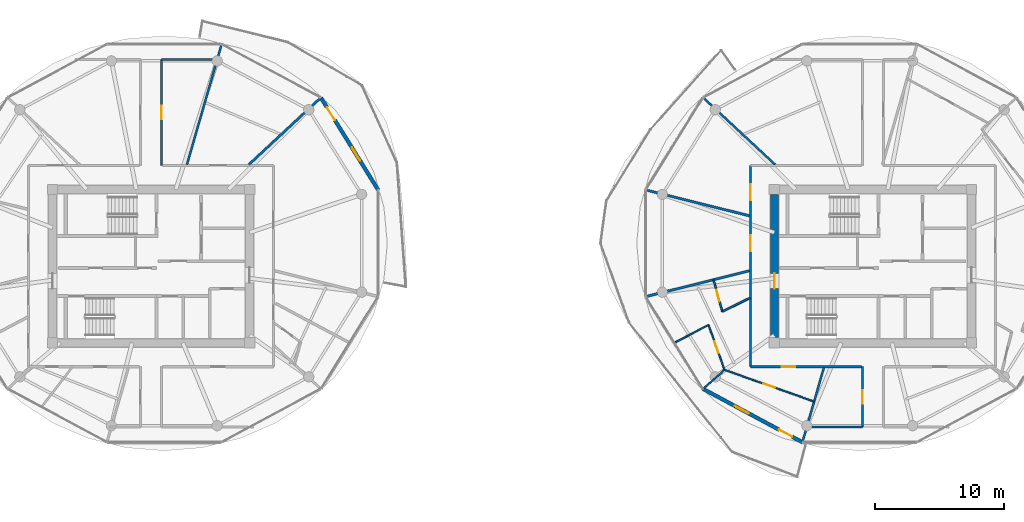
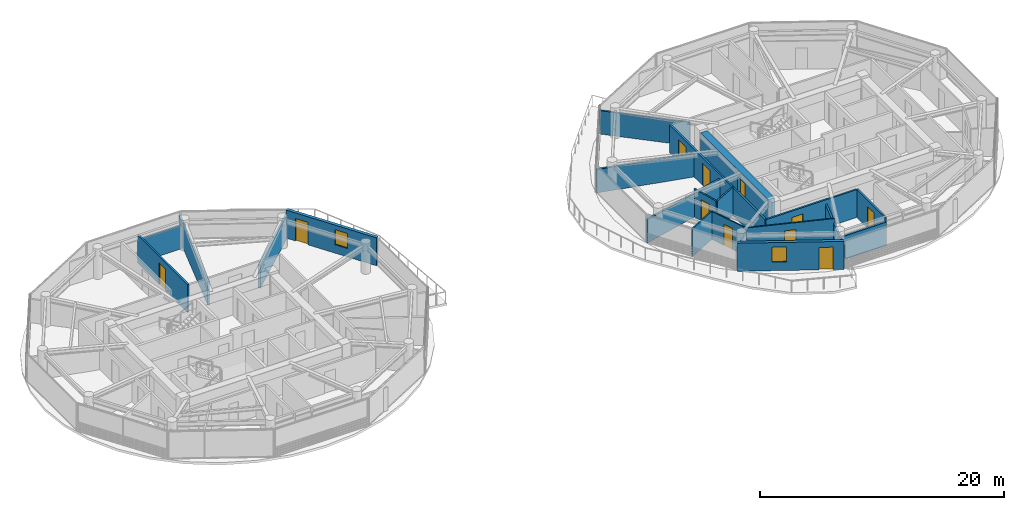
# One storey, part 15 of 22: 21 walls, 11 doors, 2 windows, 13 openings.
"""IFC4 building model written with IfcOpenShell, lengths in metres."""

from ifc_helpers import new_model, si_unit, direction, frame, frame_2d, origin, place, context, subcontext, project, spatial, rectangle, extrude, source, transform, mapped, material, layer, layer_set, type_object, type_shapes, element, fill, save


model = new_model("IFC4")

# Units and contexts
model_context = context("Model", 3, precision=1e-05, world=origin(), true_north=direction((0.0, 1.0)))
body_context = subcontext(model_context, "Body", "Model", "MODEL_VIEW")
ifc_project = project(units=[si_unit("LENGTHUNIT", "METRE"), si_unit("AREAUNIT", "SQUARE_METRE"), si_unit("VOLUMEUNIT", "CUBIC_METRE"), si_unit("PLANEANGLEUNIT", "RADIAN"), si_unit("MASSUNIT", "GRAM", prefix="KILO")], contexts=[model_context])

# Site, building, storey
site_placement = place(None, origin())
site = spatial("IfcSite", under=ifc_project, at=site_placement, CompositionType="ELEMENT")
building_placement = place(site_placement, origin())
building = spatial("IfcBuilding", under=site, at=building_placement, Name="Norrkilde Senior Care Towers", CompositionType="ELEMENT")
storey_placement = place(building_placement, frame((0.0, 0.0, 137.35009765625)))
storey = spatial("IfcBuildingStorey", under=building, at=storey_placement, Name="L42", CompositionType="ELEMENT", Elevation=137.35009765625)

# Wall, opening, door
ifc_material_1 = material(Name="Concrete C50/60", Category="concrete")
ifc_layer_1 = layer(ifc_material_1, 0.6201171875)
ifc_layer_set_1 = layer_set([ifc_layer_1], Name="Concrete C50/60")
wall_type_1 = type_object("IfcWallType", Name="Core Shear Wall Z3 620", PredefinedType="SHEAR", material=ifc_layer_set_1)
shared_shape_1 = source(origin(), body_context, "Body", "SweptSolid", [
    extrude(rectangle(XDim=11.10009765625, YDim=0.6201171875, at=frame_2d((5.550048828125, 0.0))), origin(), (0.0, 0.0, 1.0), 2.809814453125),
])
type_shapes(wall_type_1, [shared_shape_1])
wall_1_placement = place(storey_placement, frame((20.35009765625, -5.550048828125, 0.0), z_axis=(0.0, 0.0, 1.0), x_axis=(0.0, 1.0, 0.0)))
wall_1 = element("IfcWall", 1, at=wall_1_placement, inside=storey, type_object=wall_type_1, Name="L42 Core E West Shear Wall", PredefinedType="SHEAR", context=body_context, shape_type="MappedRepresentation", body=[
    mapped(shared_shape_1, transform((0.0, 0.0, 0.0), x_axis=(1.0, 0.0, 0.0), y_axis=(0.0, 1.0, 0.0), z_axis=(0.0, 0.0, 1.0), scale=1.0)),
])
opening_1_placement = place(wall_1_placement, frame((3.800048828125, 0.0, 0.0)))
opening_1 = element("IfcOpeningElement", 2, at=opening_1_placement, cuts=wall_1, Name="Opening D-04", PredefinedType="OPENING", context=body_context, shape_type="SweptSolid", body=[
    extrude(rectangle(XDim=1.199951171875, YDim=2.14990234375, at=frame_2d((0.60009765625, 1.074951171875))), frame((0.0, 0.320068359375, 0.0), z_axis=(0.0, -1.0, 0.0), x_axis=(1.0, 0.0, 0.0)), (0.0, 0.0, 1.0), 0.64013671875),
])
ifc_material_2 = material(Name="Galvanised Painted Steel", Category="steel")
door_type_1 = type_object("IfcDoorType", Name="Firefighting Lobby Fire Door 1200x2150", OperationType="NOTDEFINED", PredefinedType="DOOR", material=ifc_material_2)
shared_shape_2 = source(origin(), body_context, "Body", "SweptSolid", [
    extrude(rectangle(XDim=1.199951171875, YDim=2.14990234375, at=frame_2d((0.60009765625, 1.074951171875))), frame((0.0, 0.02490234375, 0.0), z_axis=(0.0, -1.0, 0.0), x_axis=(1.0, 0.0, 0.0)), (0.0, 0.0, 1.0), 0.050048828125),
])
type_shapes(door_type_1, [shared_shape_2])
door_1_placement = place(opening_1_placement, frame((1.199951171875, 0.0, 0.0), z_axis=(0.0, 0.0, 1.0), x_axis=(-1.0, 0.0, 0.0)))
door_1 = element("IfcDoor", 3, at=door_1_placement, inside=storey, type_object=door_type_1, Name="L42 Core E West Portal Door", OperationType="SINGLE_SWING_LEFT", OverallHeight=2.14990234375, OverallWidth=1.199951171875, PredefinedType="DOOR", context=body_context, shape_type="MappedRepresentation", body=[
    mapped(shared_shape_2, transform((0.0, 0.0, 0.0), x_axis=(1.0, 0.0, 0.0), y_axis=(0.0, 1.0, 0.0), z_axis=(0.0, 0.0, 1.0), scale=1.0)),
])
fill(opening_1, door_1)

# Wall, openings, door, window
ifc_material_3 = material(Name="Precast concrete C45/55", Category="concrete")
ifc_layer_2 = layer(ifc_material_3, 0.2900390625)
ifc_layer_set_2 = layer_set([ifc_layer_2], Name="Precast concrete C45/55")
wall_type_2 = type_object("IfcWallType", Name="Winter Garden Facade Wall 290", PredefinedType="SOLIDWALL", material=ifc_layer_set_2)
shared_shape_3 = source(origin(), body_context, "Body", "SweptSolid", [
    extrude(rectangle(XDim=8.431396484375, YDim=0.2900390625, at=frame_2d((4.2158203125, 0.0))), origin(), (0.0, 0.0, 1.0), 2.809814453125),
])
wall_2_placement = place(storey_placement, frame((-14.826904296875, 13.074951171875, 0.0), z_axis=(0.0, 0.0, 1.0), x_axis=(0.527377998418, -0.849630770855, 0.0)))
wall_2 = element("IfcWall", 4, at=wall_2_placement, inside=storey, type_object=wall_type_2, Name="L42 Drum W Balcony Access Wall 00", PredefinedType="SOLIDWALL", context=body_context, shape_type="MappedRepresentation", body=[
    mapped(shared_shape_3, transform((0.0, 0.0, 0.0), x_axis=(1.0, 0.0, 0.0), y_axis=(0.0, 1.0, 0.0), z_axis=(0.0, 0.0, 1.0), scale=1.0)),
])
opening_2_placement = place(wall_2_placement, frame((0.89990234375, 0.0, 0.0)))
opening_2 = element("IfcOpeningElement", 5, at=opening_2_placement, cuts=wall_2, Name="Opening D-09", PredefinedType="OPENING", context=body_context, shape_type="SweptSolid", body=[
    extrude(rectangle(XDim=1.14990234375, YDim=2.25, at=frame_2d((0.574951171875, 1.125))), frame((0.0, 0.155029296875, 0.0), z_axis=(0.0, -1.0, 0.0), x_axis=(1.0, 0.0, 0.0)), (0.0, 0.0, 1.0), 0.31005859375),
])
opening_3_placement = place(wall_2_placement, frame((4.565673828125, 0.0, 0.85009765625)))
opening_3 = element("IfcOpeningElement", 6, at=opening_3_placement, cuts=wall_2, Name="Opening WN-07", PredefinedType="OPENING", context=body_context, shape_type="SweptSolid", body=[
    extrude(rectangle(XDim=1.199951171875, YDim=1.5, at=frame_2d((0.60009765625, 0.75))), frame((0.0, 0.155029296875, 0.0), z_axis=(0.0, -1.0, 0.0), x_axis=(1.0, 0.0, 0.0)), (0.0, 0.0, 1.0), 0.31005859375),
])
ifc_material_4 = material(Name="Anodised Aluminium", Category="aluminium")
door_type_2 = type_object("IfcDoorType", Name="Terrace and Balcony Glazed Door 1150x2250", OperationType="NOTDEFINED", PredefinedType="DOOR", material=ifc_material_4)
shared_shape_4 = source(origin(), body_context, "Body", "SweptSolid", [
    extrude(rectangle(XDim=1.14990234375, YDim=2.25, at=frame_2d((0.574951171875, 1.125))), frame((0.0, 0.02490234375, 0.0), z_axis=(0.0, -1.0, 0.0), x_axis=(1.0, 0.0, 0.0)), (0.0, 0.0, 1.0), 0.050048828125),
])
type_shapes(door_type_2, [shared_shape_4])
door_2_placement = place(opening_2_placement, origin())
door_2 = element("IfcDoor", 7, at=door_2_placement, inside=storey, type_object=door_type_2, Name="L42 Drum W Outdoor Terrace Door 00", OperationType="SINGLE_SWING_LEFT", OverallHeight=2.25, OverallWidth=1.14990234375, PredefinedType="DOOR", context=body_context, shape_type="MappedRepresentation", body=[
    mapped(shared_shape_4, transform((0.0, 0.0, 0.0), x_axis=(1.0, 0.0, 0.0), y_axis=(0.0, 1.0, 0.0), z_axis=(0.0, 0.0, 1.0), scale=1.0)),
])
fill(opening_2, door_2)
ifc_material_5 = material(Name="Triple Low-E Insulated Glazing", Category="glass")
window_type = type_object("IfcWindowType", Name="Stairwell Smoke Vent Window 1200x1500", PartitioningType="SINGLE_PANEL", PredefinedType="WINDOW", material=ifc_material_5)
shared_shape_5 = source(origin(), body_context, "Body", "SweptSolid", [
    extrude(rectangle(XDim=1.199951171875, YDim=1.5, at=frame_2d((0.60009765625, 0.75))), frame((0.0, 0.030029296875, 0.0), z_axis=(0.0, -1.0, 0.0), x_axis=(1.0, 0.0, 0.0)), (0.0, 0.0, 1.0), 0.06005859375),
])
type_shapes(window_type, [shared_shape_5])
window_1_placement = place(opening_3_placement, origin())
window_1 = element("IfcWindow", 8, at=window_1_placement, inside=storey, type_object=window_type, Name="L42 Drum W Winter Garden Window 00", OverallHeight=1.5, OverallWidth=1.199951171875, PartitioningType="SINGLE_PANEL", PredefinedType="WINDOW", context=body_context, shape_type="MappedRepresentation", body=[
    mapped(shared_shape_5, transform((0.0, 0.0, 0.0), x_axis=(1.0, 0.0, 0.0), y_axis=(0.0, 1.0, 0.0), z_axis=(0.0, 0.0, 1.0), scale=1.0)),
])
fill(opening_3, window_1)

shared_shape_6 = source(origin(), body_context, "Body", "SweptSolid", [
    extrude(rectangle(XDim=8.741943359375, YDim=0.2900390625, at=frame_2d((4.37109375, 0.0))), origin(), (0.0, 0.0, 1.0), 2.809814453125),
])
type_shapes(wall_type_2, [shared_shape_3, shared_shape_6])
wall_3_placement = place(storey_placement, frame((22.528564453125, -13.66015625, 0.0), z_axis=(0.0, 0.0, 1.0), x_axis=(-0.880998740657, 0.473118609823, 0.0)))
wall_3 = element("IfcWall", 9, at=wall_3_placement, inside=storey, type_object=wall_type_2, Name="L42 Drum E Balcony Access Wall 07", PredefinedType="SOLIDWALL", context=body_context, shape_type="MappedRepresentation", body=[
    mapped(shared_shape_6, transform((0.0, 0.0, 0.0), x_axis=(1.0, 0.0, 0.0), y_axis=(0.0, 1.0, 0.0), z_axis=(0.0, 0.0, 1.0), scale=1.0)),
])
opening_4_placement = place(wall_3_placement, frame((0.89990234375, 0.0, 0.0)))
opening_4 = element("IfcOpeningElement", 10, at=opening_4_placement, cuts=wall_3, Name="Opening D-09", PredefinedType="OPENING", context=body_context, shape_type="SweptSolid", body=[
    extrude(rectangle(XDim=1.14990234375, YDim=2.25, at=frame_2d((0.574951171875, 1.125))), frame((0.0, 0.155029296875, 0.0), z_axis=(0.0, -1.0, 0.0), x_axis=(1.0, 0.0, 0.0)), (0.0, 0.0, 1.0), 0.31005859375),
])
opening_5_placement = place(wall_3_placement, frame((4.720947265625, 0.0, 0.85009765625)))
opening_5 = element("IfcOpeningElement", 11, at=opening_5_placement, cuts=wall_3, Name="Opening WN-07", PredefinedType="OPENING", context=body_context, shape_type="SweptSolid", body=[
    extrude(rectangle(XDim=1.199951171875, YDim=1.5, at=frame_2d((0.60009765625, 0.75))), frame((0.0, 0.155029296875, 0.0), z_axis=(0.0, -1.0, 0.0), x_axis=(1.0, 0.0, 0.0)), (0.0, 0.0, 1.0), 0.31005859375),
])
door_3_placement = place(opening_4_placement, origin())
door_3 = element("IfcDoor", 12, at=door_3_placement, inside=storey, type_object=door_type_2, Name="L42 Drum E Outdoor Terrace Door 07", OperationType="SINGLE_SWING_RIGHT", OverallHeight=2.25, OverallWidth=1.14990234375, PredefinedType="DOOR", context=body_context, shape_type="MappedRepresentation", body=[
    mapped(shared_shape_4, transform((0.0, 0.0, 0.0), x_axis=(1.0, 0.0, 0.0), y_axis=(0.0, 1.0, 0.0), z_axis=(0.0, 0.0, 1.0), scale=1.0)),
])
fill(opening_4, door_3)
window_2_placement = place(opening_5_placement, origin())
window_2 = element("IfcWindow", 13, at=window_2_placement, inside=storey, type_object=window_type, Name="L42 Drum E Winter Garden Window 07", OverallHeight=1.5, OverallWidth=1.199951171875, PartitioningType="SINGLE_PANEL", PredefinedType="WINDOW", context=body_context, shape_type="MappedRepresentation", body=[
    mapped(shared_shape_5, transform((0.0, 0.0, 0.0), x_axis=(1.0, 0.0, 0.0), y_axis=(0.0, 1.0, 0.0), z_axis=(0.0, 0.0, 1.0), scale=1.0)),
])
fill(opening_5, window_2)

# Wall, opening, door
ifc_material_6 = material(Name="Gypsum Acoustic Board")
ifc_layer_3 = layer(ifc_material_6, 0.1650390625)
ifc_layer_set_3 = layer_set([ifc_layer_3], Name="Gypsum Acoustic Board")
wall_type_3 = type_object("IfcWallType", Name="Corridor Rated Partition 165", PredefinedType="PARTITIONING", material=ifc_layer_set_3)
shared_shape_7 = source(origin(), body_context, "Body", "SweptSolid", [
    extrude(rectangle(XDim=8.60009765625, YDim=0.1650390625, at=frame_2d((4.300048828125, 0.0))), origin(), (0.0, 0.0, 1.0), 2.794921875),
])
wall_4_placement = place(storey_placement, frame((27.10009765625, -7.800048828125, 0.0), z_axis=(0.0, 0.0, 1.0), x_axis=(-1.0, 0.0, 0.0)))
wall_4 = element("IfcWall", 14, at=wall_4_placement, inside=storey, type_object=wall_type_3, Name="WL-INT-L42-E-CRW-S-1", PredefinedType="PARTITIONING", context=body_context, shape_type="MappedRepresentation", body=[
    mapped(shared_shape_7, transform((0.0, 0.0, 0.0), x_axis=(1.0, 0.0, 0.0), y_axis=(0.0, 1.0, 0.0), z_axis=(0.0, 0.0, 1.0), scale=1.0)),
])
opening_6_placement = place(wall_4_placement, frame((5.11474609375, 0.0, 0.0)))
opening_6 = element("IfcOpeningElement", 15, at=opening_6_placement, cuts=wall_4, Name="Opening D-06", PredefinedType="OPENING", context=body_context, shape_type="SweptSolid", body=[
    extrude(rectangle(XDim=1.050048828125, YDim=2.14990234375, at=frame_2d((0.52490234375, 1.074951171875))), frame((0.0, 0.092529296875, 0.0), z_axis=(0.0, -1.0, 0.0), x_axis=(1.0, 0.0, 0.0)), (0.0, 0.0, 1.0), 0.18505859375),
])
ifc_material_7 = material(Name="Nordic Ash Timber", Category="wood")
door_type_3 = type_object("IfcDoorType", Name="Apartment Entrance Fire Door 1050x2150", OperationType="NOTDEFINED", PredefinedType="DOOR", material=ifc_material_7)
shared_shape_8 = source(origin(), body_context, "Body", "SweptSolid", [
    extrude(rectangle(XDim=1.050048828125, YDim=2.14990234375, at=frame_2d((0.52490234375, 1.074951171875))), frame((0.0, 0.02490234375, 0.0), z_axis=(0.0, -1.0, 0.0), x_axis=(1.0, 0.0, 0.0)), (0.0, 0.0, 1.0), 0.050048828125),
])
type_shapes(door_type_3, [shared_shape_8])
door_4_placement = place(opening_6_placement, frame((1.050048828125, 0.0, 0.0), z_axis=(0.0, 0.0, 1.0), x_axis=(-1.0, 0.0, 0.0)))
door_4 = element("IfcDoor", 16, at=door_4_placement, inside=storey, type_object=door_type_3, Name="Apartment 42C Entrance Door", OperationType="SINGLE_SWING_LEFT", OverallHeight=2.14990234375, OverallWidth=1.050048828125, PredefinedType="DOOR", context=body_context, shape_type="MappedRepresentation", body=[
    mapped(shared_shape_8, transform((0.0, 0.0, 0.0), x_axis=(1.0, 0.0, 0.0), y_axis=(0.0, 1.0, 0.0), z_axis=(0.0, 0.0, 1.0), scale=1.0)),
])
fill(opening_6, door_4)

# Wall, openings, doors
shared_shape_9 = source(origin(), body_context, "Body", "SweptSolid", [
    extrude(rectangle(XDim=15.60009765625, YDim=0.1650390625, at=frame_2d((7.800048828125, 0.0))), origin(), (0.0, 0.0, 1.0), 2.794921875),
])
wall_5_placement = place(storey_placement, frame((18.5, -7.800048828125, 0.0), z_axis=(0.0, 0.0, 1.0), x_axis=(0.0, 1.0, 0.0)))
wall_5 = element("IfcWall", 17, at=wall_5_placement, inside=storey, type_object=wall_type_3, Name="WL-INT-L42-E-CRW-W-0", PredefinedType="PARTITIONING", context=body_context, shape_type="MappedRepresentation", body=[
    mapped(shared_shape_9, transform((0.0, 0.0, 0.0), x_axis=(1.0, 0.0, 0.0), y_axis=(0.0, 1.0, 0.0), z_axis=(0.0, 0.0, 1.0), scale=1.0)),
])
opening_7_placement = place(wall_5_placement, frame((12.903076171875, 0.0, 0.0)))
opening_7 = element("IfcOpeningElement", 18, at=opening_7_placement, cuts=wall_5, Name="Opening D-05", PredefinedType="OPENING", context=body_context, shape_type="SweptSolid", body=[
    extrude(rectangle(XDim=1.25, YDim=2.199951171875, at=frame_2d((0.625, 1.10009765625))), frame((0.0, 0.092529296875, 0.0), z_axis=(0.0, -1.0, 0.0), x_axis=(1.0, 0.0, 0.0)), (0.0, 0.0, 1.0), 0.18505859375),
])
opening_8_placement = place(wall_5_placement, frame((8.950439453125, 0.0, 0.0)))
opening_8 = element("IfcOpeningElement", 19, at=opening_8_placement, cuts=wall_5, Name="Opening D-05", PredefinedType="OPENING", context=body_context, shape_type="SweptSolid", body=[
    extrude(rectangle(XDim=1.25, YDim=2.199951171875, at=frame_2d((0.625, 1.10009765625))), frame((0.0, 0.092529296875, 0.0), z_axis=(0.0, -1.0, 0.0), x_axis=(1.0, 0.0, 0.0)), (0.0, 0.0, 1.0), 0.18505859375),
])
door_type_4 = type_object("IfcDoorType", Name="Care Bedroom Bariatric Door 1250x2200", OperationType="NOTDEFINED", PredefinedType="DOOR", material=ifc_material_7)
shared_shape_10 = source(origin(), body_context, "Body", "SweptSolid", [
    extrude(rectangle(XDim=1.25, YDim=2.199951171875, at=frame_2d((0.625, 1.10009765625))), frame((0.0, 0.02490234375, 0.0), z_axis=(0.0, -1.0, 0.0), x_axis=(1.0, 0.0, 0.0)), (0.0, 0.0, 1.0), 0.050048828125),
])
type_shapes(door_type_4, [shared_shape_10])
door_5_placement = place(opening_7_placement, frame((1.25, 0.0, 0.0), z_axis=(0.0, 0.0, 1.0), x_axis=(-1.0, 0.0, 0.0)))
door_5 = element("IfcDoor", 20, at=door_5_placement, inside=storey, type_object=door_type_4, Name="L42 Sky-Garden Observatory Dining Salon L42 Door", OperationType="SINGLE_SWING_LEFT", OverallHeight=2.199951171875, OverallWidth=1.25, PredefinedType="DOOR", context=body_context, shape_type="MappedRepresentation", body=[
    mapped(shared_shape_10, transform((0.0, 0.0, 0.0), x_axis=(1.0, 0.0, 0.0), y_axis=(0.0, 1.0, 0.0), z_axis=(0.0, 0.0, 1.0), scale=1.0)),
])
fill(opening_7, door_5)
door_6_placement = place(opening_8_placement, frame((1.25, 0.0, 0.0), z_axis=(0.0, 0.0, 1.0), x_axis=(-1.0, 0.0, 0.0)))
door_6 = element("IfcDoor", 21, at=door_6_placement, inside=storey, type_object=door_type_4, Name="L42 Senior Wellness Library Lounge Door", OperationType="SINGLE_SWING_RIGHT", OverallHeight=2.199951171875, OverallWidth=1.25, PredefinedType="DOOR", context=body_context, shape_type="MappedRepresentation", body=[
    mapped(shared_shape_10, transform((0.0, 0.0, 0.0), x_axis=(1.0, 0.0, 0.0), y_axis=(0.0, 1.0, 0.0), z_axis=(0.0, 0.0, 1.0), scale=1.0)),
])
fill(opening_8, door_6)

# Walls
shared_shape_11 = source(origin(), body_context, "Body", "SweptSolid", [
    extrude(rectangle(XDim=9.73046875, YDim=0.1650390625, at=frame_2d((4.865234375, 0.0))), origin(), (0.0, 0.0, 1.0), 2.344970703125),
])
wall_6_placement = place(storey_placement, frame((-25.216552734375, 7.8798828125, 0.0), z_axis=(0.0, 0.0, 1.0), x_axis=(0.27679492614, 0.960929013436, 0.0)))
element("IfcWall", 22, at=wall_6_placement, inside=storey, type_object=wall_type_3, Name="WL-INT-L42-W-DEM-02-0", PredefinedType="PARTITIONING", context=body_context, shape_type="MappedRepresentation", body=[
    mapped(shared_shape_11, transform((0.0, 0.0, 0.0), x_axis=(1.0, 0.0, 0.0), y_axis=(0.0, 1.0, 0.0), z_axis=(0.0, 0.0, 1.0), scale=1.0)),
])
shared_shape_12 = source(origin(), body_context, "Body", "SweptSolid", [
    extrude(rectangle(XDim=6.035400390625, YDim=0.1650390625, at=frame_2d((3.017578125, 0.0))), origin(), (0.0, 0.0, 1.0), 2.344970703125),
])
wall_7_placement = place(storey_placement, frame((24.19384765625, -7.8798828125, 0.0), z_axis=(0.0, 0.0, 1.0), x_axis=(-0.276809454862, -0.960924828329, 0.0)))
element("IfcWall", 23, at=wall_7_placement, inside=storey, type_object=wall_type_3, Name="WL-INT-L42-E-DEM-08-0", PredefinedType="PARTITIONING", context=body_context, shape_type="MappedRepresentation", body=[
    mapped(shared_shape_12, transform((0.0, 0.0, 0.0), x_axis=(1.0, 0.0, 0.0), y_axis=(0.0, 1.0, 0.0), z_axis=(0.0, 0.0, 1.0), scale=1.0)),
])

# Wall, opening, door
shared_shape_13 = source(origin(), body_context, "Body", "SweptSolid", [
    extrude(rectangle(XDim=8.2353515625, YDim=0.1650390625, at=frame_2d((4.11767578125, 0.0))), origin(), (0.0, 0.0, 1.0), 2.794921875),
])
wall_8_placement = place(storey_placement, frame((-27.179931640625, 7.800048828125, 0.0), z_axis=(0.0, 0.0, 1.0), x_axis=(0.0, 1.0, 0.0)))
wall_8 = element("IfcWall", 24, at=wall_8_placement, inside=storey, type_object=wall_type_3, Name="WL-INT-L42-W-PKW-NEL", PredefinedType="PARTITIONING", context=body_context, shape_type="MappedRepresentation", body=[
    mapped(shared_shape_13, transform((0.0, 0.0, 0.0), x_axis=(1.0, 0.0, 0.0), y_axis=(0.0, 1.0, 0.0), z_axis=(0.0, 0.0, 1.0), scale=1.0)),
])
opening_9_placement = place(wall_8_placement, frame((3.5927734375, 0.0, 0.0)))
opening_9 = element("IfcOpeningElement", 25, at=opening_9_placement, cuts=wall_8, Name="Opening D-06", PredefinedType="OPENING", context=body_context, shape_type="SweptSolid", body=[
    extrude(rectangle(XDim=1.050048828125, YDim=2.14990234375, at=frame_2d((0.52490234375, 1.074951171875))), frame((0.0, 0.092529296875, 0.0), z_axis=(0.0, -1.0, 0.0), x_axis=(1.0, 0.0, 0.0)), (0.0, 0.0, 1.0), 0.18505859375),
])
door_7_placement = place(opening_9_placement, frame((1.050048828125, 0.0, 0.0), z_axis=(0.0, 0.0, 1.0), x_axis=(-1.0, 0.0, 0.0)))
door_7 = element("IfcDoor", 26, at=door_7_placement, inside=storey, type_object=door_type_3, Name="L42 Reading Lounge NEL Door", OperationType="SINGLE_SWING_RIGHT", OverallHeight=2.14990234375, OverallWidth=1.050048828125, PredefinedType="DOOR", context=body_context, shape_type="MappedRepresentation", body=[
    mapped(shared_shape_8, transform((0.0, 0.0, 0.0), x_axis=(1.0, 0.0, 0.0), y_axis=(0.0, 1.0, 0.0), z_axis=(0.0, 0.0, 1.0), scale=1.0)),
])
fill(opening_9, door_7)

# Walls
shared_shape_14 = source(origin(), body_context, "Body", "SweptSolid", [
    extrude(rectangle(XDim=4.46875, YDim=0.1650390625, at=frame_2d((2.234375, 0.0))), origin(), (0.0, 0.0, 1.0), 2.344970703125),
])
for number, where, z_axis, x_axis, name in (
    (27, (-27.179931640625, 16.035400390625, 0.0), (0.0, 0.0, 1.0), (1.0, 0.0, 0.0), "WL-INT-L42-W-PKH-NEL-0"),
    (28, (22.711181640625, -12.484619140625, 0.0), (0.0, 0.0, 1.0), (1.0, 0.0, 0.0), "WL-INT-L42-E-PKH-SWL-0"),
):
    element("IfcWall", number, at=place(storey_placement, frame(where, z_axis=z_axis, x_axis=x_axis)), inside=storey, type_object=wall_type_3, Name=name, PredefinedType="PARTITIONING", context=body_context, shape_type="MappedRepresentation", body=[
        mapped(shared_shape_14, transform((0.0, 0.0, 0.0), x_axis=(1.0, 0.0, 0.0), y_axis=(0.0, 1.0, 0.0), z_axis=(0.0, 0.0, 1.0), scale=1.0)),
    ])

# Wall, opening, door
shared_shape_15 = source(origin(), body_context, "Body", "SweptSolid", [
    extrude(rectangle(XDim=4.6845703125, YDim=0.1650390625, at=frame_2d((2.34228515625, 0.0))), origin(), (0.0, 0.0, 1.0), 2.794921875),
])
wall_9_placement = place(storey_placement, frame((27.179931640625, -12.484619140625, 0.0), z_axis=(0.0, 0.0, 1.0), x_axis=(0.0, 1.0, 0.0)))
wall_9 = element("IfcWall", 29, at=wall_9_placement, inside=storey, type_object=wall_type_3, Name="WL-INT-L42-E-PKW-SWL", PredefinedType="PARTITIONING", context=body_context, shape_type="MappedRepresentation", body=[
    mapped(shared_shape_15, transform((0.0, 0.0, 0.0), x_axis=(1.0, 0.0, 0.0), y_axis=(0.0, 1.0, 0.0), z_axis=(0.0, 0.0, 1.0), scale=1.0)),
])
opening_10_placement = place(wall_9_placement, frame((1.8173828125, 0.0, 0.0)))
opening_10 = element("IfcOpeningElement", 30, at=opening_10_placement, cuts=wall_9, Name="Opening D-06", PredefinedType="OPENING", context=body_context, shape_type="SweptSolid", body=[
    extrude(rectangle(XDim=1.050048828125, YDim=2.14990234375, at=frame_2d((0.52490234375, 1.074951171875))), frame((0.0, 0.092529296875, 0.0), z_axis=(0.0, -1.0, 0.0), x_axis=(1.0, 0.0, 0.0)), (0.0, 0.0, 1.0), 0.18505859375),
])
door_8_placement = place(opening_10_placement, frame((1.050048828125, 0.0, 0.0), z_axis=(0.0, 0.0, 1.0), x_axis=(-1.0, 0.0, 0.0)))
door_8 = element("IfcDoor", 31, at=door_8_placement, inside=storey, type_object=door_type_3, Name="L42 Reading Lounge SWL Door", OperationType="SINGLE_SWING_RIGHT", OverallHeight=2.14990234375, OverallWidth=1.050048828125, PredefinedType="DOOR", context=body_context, shape_type="MappedRepresentation", body=[
    mapped(shared_shape_8, transform((0.0, 0.0, 0.0), x_axis=(1.0, 0.0, 0.0), y_axis=(0.0, 1.0, 0.0), z_axis=(0.0, 0.0, 1.0), scale=1.0)),
])
fill(opening_10, door_8)

# Walls
ifc_layer_4 = layer(ifc_material_6, 0.18994140625)
ifc_layer_set_4 = layer_set([ifc_layer_4], Name="Gypsum Acoustic Board")
wall_type_4 = type_object("IfcWallType", Name="Unit Demising Acoustic Wall 190", PredefinedType="PARTITIONING", material=ifc_layer_set_4)
shared_shape_16 = source(origin(), body_context, "Body", "SweptSolid", [
    extrude(rectangle(XDim=8.305419921875, YDim=0.18994140625, at=frame_2d((4.15283203125, 0.0))), origin(), (0.0, 0.0, 1.0), 2.344970703125),
])
for number, where, z_axis, x_axis, name in (
    (32, (18.419921875, 3.90771484375, 0.0), (0.0, 0.0, 1.0), (-0.970309994378, 0.241864662175, 0.0), "WL-INT-L42-E-DEM-05-0"),
    (33, (18.419921875, -0.35693359375, 0.0), (0.0, 0.0, 1.0), (-0.970309994378, -0.241864662175, 0.0), "WL-INT-L42-E-DEM-06-0"),
):
    element("IfcWall", number, at=place(storey_placement, frame(where, z_axis=z_axis, x_axis=x_axis)), inside=storey, type_object=wall_type_4, Name=name, PredefinedType="PARTITIONING", context=body_context, shape_type="MappedRepresentation", body=[
        mapped(shared_shape_16, transform((0.0, 0.0, 0.0), x_axis=(1.0, 0.0, 0.0), y_axis=(0.0, 1.0, 0.0), z_axis=(0.0, 0.0, 1.0), scale=1.0)),
    ])
shared_shape_17 = source(origin(), body_context, "Body", "SweptSolid", [
    extrude(rectangle(XDim=7.648193359375, YDim=0.18994140625, at=frame_2d((3.82421875, 0.0))), origin(), (0.0, 0.0, 1.0), 2.344970703125),
])
type_shapes(wall_type_4, [shared_shape_16, shared_shape_17])
wall_10_placement = place(storey_placement, frame((-20.41259765625, 7.8798828125, 0.0), z_axis=(0.0, 0.0, 1.0), x_axis=(0.732182665826, 0.681108320213, 0.0)))
element("IfcWall", 34, at=wall_10_placement, inside=storey, type_object=wall_type_4, Name="WL-INT-L42-W-DEM-01-0", PredefinedType="PARTITIONING", context=body_context, shape_type="MappedRepresentation", body=[
    mapped(shared_shape_17, transform((0.0, 0.0, 0.0), x_axis=(1.0, 0.0, 0.0), y_axis=(0.0, 1.0, 0.0), z_axis=(0.0, 0.0, 1.0), scale=1.0)),
])
shared_shape_18 = source(origin(), body_context, "Body", "SweptSolid", [
    extrude(rectangle(XDim=7.648193359375, YDim=0.1650390625, at=frame_2d((3.82421875, 0.0))), origin(), (0.0, 0.0, 1.0), 2.344970703125),
])
type_shapes(wall_type_3, [shared_shape_7, shared_shape_9, shared_shape_11, shared_shape_12, shared_shape_13, shared_shape_14, shared_shape_15, shared_shape_18])
wall_11_placement = place(storey_placement, frame((20.41259765625, 7.8798828125, 0.0), z_axis=(0.0, 0.0, 1.0), x_axis=(-0.732182665826, 0.681108320213, 0.0)))
element("IfcWall", 35, at=wall_11_placement, inside=storey, type_object=wall_type_3, Name="WL-INT-L42-E-DEM-04-0", PredefinedType="PARTITIONING", context=body_context, shape_type="MappedRepresentation", body=[
    mapped(shared_shape_18, transform((0.0, 0.0, 0.0), x_axis=(1.0, 0.0, 0.0), y_axis=(0.0, 1.0, 0.0), z_axis=(0.0, 0.0, 1.0), scale=1.0)),
])

# Wall, opening, door
ifc_layer_5 = layer(ifc_material_6, 0.114990234375)
ifc_layer_set_5 = layer_set([ifc_layer_5], Name="Gypsum Acoustic Board")
wall_type_5 = type_object("IfcWallType", Name="Internal Room Partition 115", PredefinedType="PARTITIONING", material=ifc_layer_set_5)
shared_shape_19 = source(origin(), body_context, "Body", "SweptSolid", [
    extrude(rectangle(XDim=7.37890625, YDim=0.114990234375, at=frame_2d((3.689453125, 0.0))), origin(), (0.0, 0.0, 1.0), 2.794921875),
])
wall_12_placement = place(storey_placement, frame((16.48046875, -8.04345703125, 0.0), z_axis=(0.0, 0.0, 1.0), x_axis=(0.942783084163, -0.333406742906, 0.0)))
wall_12 = element("IfcWall", 36, at=wall_12_placement, inside=storey, type_object=wall_type_5, Name="WL-INT-L42-E-UBC-06-1", PredefinedType="PARTITIONING", context=body_context, shape_type="MappedRepresentation", body=[
    mapped(shared_shape_19, transform((0.0, 0.0, 0.0), x_axis=(1.0, 0.0, 0.0), y_axis=(0.0, 1.0, 0.0), z_axis=(0.0, 0.0, 1.0), scale=1.0)),
])
opening_11_placement = place(wall_12_placement, frame((3.21435546875, 0.0, 0.0)))
opening_11 = element("IfcOpeningElement", 37, at=opening_11_placement, cuts=wall_12, Name="Opening D-07", PredefinedType="OPENING", context=body_context, shape_type="SweptSolid", body=[
    extrude(rectangle(XDim=0.949951171875, YDim=2.10009765625, at=frame_2d((0.47509765625, 1.050048828125))), frame((0.0, 0.0673828125, 0.0), z_axis=(0.0, -1.0, 0.0), x_axis=(1.0, 0.0, 0.0)), (0.0, 0.0, 1.0), 0.135009765625),
])
door_type_5 = type_object("IfcDoorType", Name="Internal Suite Bedroom Door 950x2100", OperationType="NOTDEFINED", PredefinedType="DOOR", material=ifc_material_7)
shared_shape_20 = source(origin(), body_context, "Body", "SweptSolid", [
    extrude(rectangle(XDim=0.949951171875, YDim=2.10009765625, at=frame_2d((0.47509765625, 1.050048828125))), frame((0.0, 0.02490234375, 0.0), z_axis=(0.0, -1.0, 0.0), x_axis=(1.0, 0.0, 0.0)), (0.0, 0.0, 1.0), 0.050048828125),
])
type_shapes(door_type_5, [shared_shape_20])
door_9_placement = place(opening_11_placement, origin())
door_9 = element("IfcDoor", 38, at=door_9_placement, inside=storey, type_object=door_type_5, Name="Apartment 42C Bedroom 1 Door", OperationType="SINGLE_SWING_RIGHT", OverallHeight=2.10009765625, OverallWidth=0.949951171875, PredefinedType="DOOR", context=body_context, shape_type="MappedRepresentation", body=[
    mapped(shared_shape_20, transform((0.0, 0.0, 0.0), x_axis=(1.0, 0.0, 0.0), y_axis=(0.0, 1.0, 0.0), z_axis=(0.0, 0.0, 1.0), scale=1.0)),
])
fill(opening_11, door_9)

# Walls
shared_shape_21 = source(origin(), body_context, "Body", "SweptSolid", [
    extrude(rectangle(XDim=2.23974609375, YDim=0.114990234375, at=frame_2d((1.119873046875, 0.0))), origin(), (0.0, 0.0, 1.0), 2.344970703125),
])
wall_13_placement = place(storey_placement, frame((16.48046875, -8.04345703125, 0.0), z_axis=(0.0, 0.0, 1.0), x_axis=(-0.744642300678, -0.66746373987, 0.0)))
element("IfcWall", 39, at=wall_13_placement, inside=storey, type_object=wall_type_5, Name="WL-INT-L42-E-UBR-06-1", PredefinedType="PARTITIONING", context=body_context, shape_type="MappedRepresentation", body=[
    mapped(shared_shape_21, transform((0.0, 0.0, 0.0), x_axis=(1.0, 0.0, 0.0), y_axis=(0.0, 1.0, 0.0), z_axis=(0.0, 0.0, 1.0), scale=1.0)),
])
ifc_layer_6 = layer(ifc_material_6, 0.139892578125)
ifc_layer_set_6 = layer_set([ifc_layer_6], Name="Gypsum Acoustic Board")
wall_type_6 = type_object("IfcWallType", Name="En-suite Wet Room Wall 140", PredefinedType="PARTITIONING", material=ifc_layer_set_6)
shared_shape_22 = source(origin(), body_context, "Body", "SweptSolid", [
    extrude(rectangle(XDim=2.402587890625, YDim=0.139892578125, at=frame_2d((1.201171875, 0.0))), origin(), (0.0, 0.0, 1.0), 2.794921875),
])
wall_14_placement = place(storey_placement, frame((18.469970703125, -2.455810546875, 0.0), z_axis=(0.0, 0.0, 1.0), x_axis=(-0.895339866084, -0.445383569748, 0.0)))
element("IfcWall", 40, at=wall_14_placement, inside=storey, type_object=wall_type_6, Name="WL-INT-L42-E-UBTS-06", PredefinedType="PARTITIONING", context=body_context, shape_type="MappedRepresentation", body=[
    mapped(shared_shape_22, transform((0.0, 0.0, 0.0), x_axis=(1.0, 0.0, 0.0), y_axis=(0.0, 1.0, 0.0), z_axis=(0.0, 0.0, 1.0), scale=1.0)),
])

# Wall, opening, door
shared_shape_23 = source(origin(), body_context, "Body", "SweptSolid", [
    extrude(rectangle(XDim=2.551513671875, YDim=0.139892578125, at=frame_2d((1.27587890625, 0.0))), origin(), (0.0, 0.0, 1.0), 2.794921875),
])
type_shapes(wall_type_6, [shared_shape_22, shared_shape_23])
wall_15_placement = place(storey_placement, frame((16.31884765625, -3.52587890625, 0.0), z_axis=(0.0, 0.0, 1.0), x_axis=(-0.266395035708, 0.963863934874, 0.0)))
wall_15 = element("IfcWall", 41, at=wall_15_placement, inside=storey, type_object=wall_type_6, Name="WL-INT-L42-E-UBTF-06", PredefinedType="PARTITIONING", context=body_context, shape_type="MappedRepresentation", body=[
    mapped(shared_shape_23, transform((0.0, 0.0, 0.0), x_axis=(1.0, 0.0, 0.0), y_axis=(0.0, 1.0, 0.0), z_axis=(0.0, 0.0, 1.0), scale=1.0)),
])
opening_12_placement = place(wall_15_placement, frame((0.81591796875, 0.0, 0.0)))
opening_12 = element("IfcOpeningElement", 42, at=opening_12_placement, cuts=wall_15, Name="Opening D-08", PredefinedType="OPENING", context=body_context, shape_type="SweptSolid", body=[
    extrude(rectangle(XDim=0.919921875, YDim=2.10009765625, at=frame_2d((0.4599609375, 1.050048828125))), frame((0.0, 0.079833984375, 0.0), z_axis=(0.0, -1.0, 0.0), x_axis=(1.0, 0.0, 0.0)), (0.0, 0.0, 1.0), 0.159912109375),
])
door_type_6 = type_object("IfcDoorType", Name="Accessible Wet Room Door 920x2100", OperationType="NOTDEFINED", PredefinedType="DOOR", material=ifc_material_7)
shared_shape_24 = source(origin(), body_context, "Body", "SweptSolid", [
    extrude(rectangle(XDim=0.919921875, YDim=2.10009765625, at=frame_2d((0.4599609375, 1.050048828125))), frame((0.0, 0.02490234375, 0.0), z_axis=(0.0, -1.0, 0.0), x_axis=(1.0, 0.0, 0.0)), (0.0, 0.0, 1.0), 0.050048828125),
])
type_shapes(door_type_6, [shared_shape_24])
door_10_placement = place(opening_12_placement, origin())
door_10 = element("IfcDoor", 43, at=door_10_placement, inside=storey, type_object=door_type_6, Name="Apartment 42C Bathroom Door", OperationType="SINGLE_SWING_RIGHT", OverallHeight=2.10009765625, OverallWidth=0.919921875, PredefinedType="DOOR", context=body_context, shape_type="MappedRepresentation", body=[
    mapped(shared_shape_24, transform((0.0, 0.0, 0.0), x_axis=(1.0, 0.0, 0.0), y_axis=(0.0, 1.0, 0.0), z_axis=(0.0, 0.0, 1.0), scale=1.0)),
])
fill(opening_12, door_10)

# Wall
shared_shape_25 = source(origin(), body_context, "Body", "SweptSolid", [
    extrude(rectangle(XDim=3.005126953125, YDim=0.114990234375, at=frame_2d((1.50244140625, 0.0))), origin(), (0.0, 0.0, 1.0), 2.794921875),
])
wall_16_placement = place(storey_placement, frame((15.24951171875, -4.55859375, 0.0), z_axis=(0.0, 0.0, 1.0), x_axis=(-0.885987312953, -0.4637094794, 0.0)))
element("IfcWall", 44, at=wall_16_placement, inside=storey, type_object=wall_type_5, Name="WL-INT-L42-E-UKTS-06", PredefinedType="PARTITIONING", context=body_context, shape_type="MappedRepresentation", body=[
    mapped(shared_shape_25, transform((0.0, 0.0, 0.0), x_axis=(1.0, 0.0, 0.0), y_axis=(0.0, 1.0, 0.0), z_axis=(0.0, 0.0, 1.0), scale=1.0)),
])

# Wall, opening, door
shared_shape_26 = source(origin(), body_context, "Body", "SweptSolid", [
    extrude(rectangle(XDim=3.69287109375, YDim=0.114990234375, at=frame_2d((1.846435546875, 0.0))), origin(), (0.0, 0.0, 1.0), 2.794921875),
])
type_shapes(wall_type_5, [shared_shape_19, shared_shape_21, shared_shape_25, shared_shape_26])
wall_17_placement = place(storey_placement, frame((15.24951171875, -4.55859375, 0.0), z_axis=(0.0, 0.0, 1.0), x_axis=(0.334849241433, -0.94227171533, 0.0)))
wall_17 = element("IfcWall", 45, at=wall_17_placement, inside=storey, type_object=wall_type_5, Name="WL-INT-L42-E-UKTF-06", PredefinedType="PARTITIONING", context=body_context, shape_type="MappedRepresentation", body=[
    mapped(shared_shape_26, transform((0.0, 0.0, 0.0), x_axis=(1.0, 0.0, 0.0), y_axis=(0.0, 1.0, 0.0), z_axis=(0.0, 0.0, 1.0), scale=1.0)),
])
opening_13_placement = place(wall_17_placement, frame((1.37158203125, 0.0, 0.0)))
opening_13 = element("IfcOpeningElement", 46, at=opening_13_placement, cuts=wall_17, Name="Opening D-07", PredefinedType="OPENING", context=body_context, shape_type="SweptSolid", body=[
    extrude(rectangle(XDim=0.949951171875, YDim=2.10009765625, at=frame_2d((0.47509765625, 1.050048828125))), frame((0.0, 0.0673828125, 0.0), z_axis=(0.0, -1.0, 0.0), x_axis=(1.0, 0.0, 0.0)), (0.0, 0.0, 1.0), 0.135009765625),
])
door_11_placement = place(opening_13_placement, frame((0.949951171875, 0.0, 0.0), z_axis=(0.0, 0.0, 1.0), x_axis=(-1.0, 0.0, 0.0)))
door_11 = element("IfcDoor", 47, at=door_11_placement, inside=storey, type_object=door_type_5, Name="Apartment 42C Kitchen Door", OperationType="SINGLE_SWING_LEFT", OverallHeight=2.10009765625, OverallWidth=0.949951171875, PredefinedType="DOOR", context=body_context, shape_type="MappedRepresentation", body=[
    mapped(shared_shape_20, transform((0.0, 0.0, 0.0), x_axis=(1.0, 0.0, 0.0), y_axis=(0.0, 1.0, 0.0), z_axis=(0.0, 0.0, 1.0), scale=1.0)),
])
fill(opening_13, door_11)

save(model, "model.ifc")
